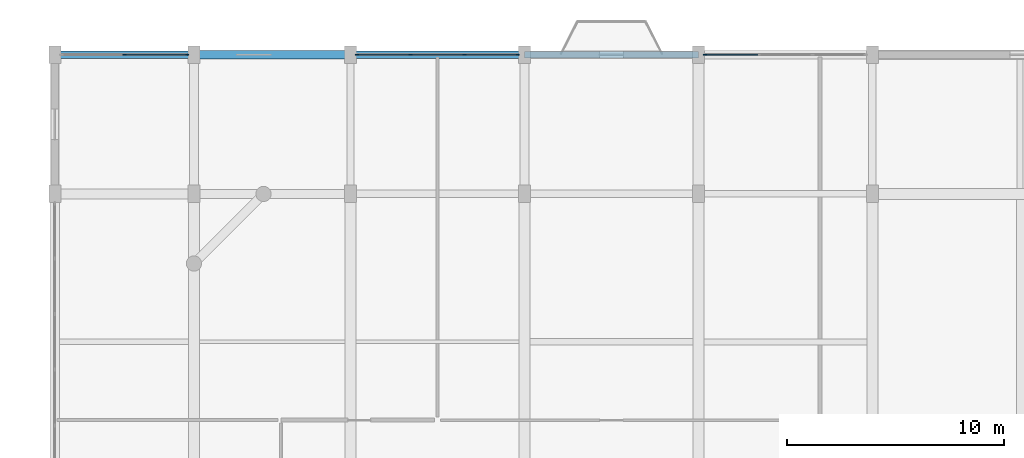
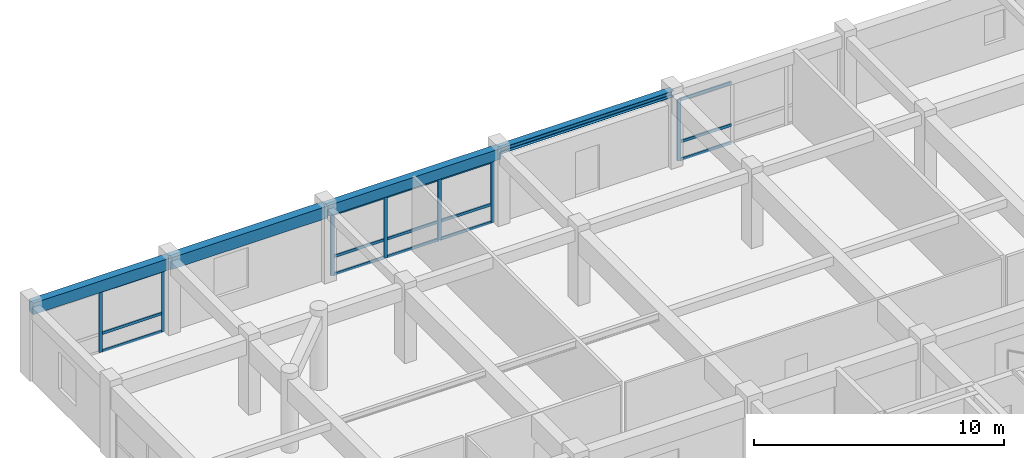
# One storey, part 8 of 15: 22 members, 4 beams, 3 elements without a shape of their own.
"""IFC4 building model written with IfcOpenShell, lengths in metres."""

from ifc_helpers import new_model, si_unit, direction, frame, origin, origin_2d, place, context, subcontext, project, spatial, rectangle, i_section, extrude, material, material_profile, profile_set, type_object, element, aggregate, save


model = new_model("IFC4")

# Units and contexts
model_context = context("Model", 3, precision=1e-05, world=origin(), true_north=direction((0.0, 1.0)))
body_context = subcontext(model_context, "Body", "Model", "MODEL_VIEW")
ifc_project = project(units=[si_unit("LENGTHUNIT", "METRE"), si_unit("AREAUNIT", "SQUARE_METRE"), si_unit("VOLUMEUNIT", "CUBIC_METRE"), si_unit("PLANEANGLEUNIT", "RADIAN"), si_unit("MASSUNIT", "GRAM", prefix="KILO")], contexts=[model_context])

# Site, building, storey
site_placement = place(None, origin())
site = spatial("IfcSite", under=ifc_project, at=site_placement, CompositionType="ELEMENT")
building_placement = place(site_placement, origin())
building = spatial("IfcBuilding", under=site, at=building_placement, Name="Vellmiral Cinema and Media Centre", CompositionType="ELEMENT")
storey_placement = place(building_placement, frame((0.0, 0.0, 35.60009765625)))
storey = spatial("IfcBuildingStorey", under=building, at=storey_placement, Name="L08", CompositionType="ELEMENT", Elevation=35.60009765625)

# Curtain wall, member
ifc_material_1 = material(Name="Thermally Broken Aluminium and Triple Glazing", Category="aluminium")
curtain_wall_type = type_object("IfcCurtainWallType", Name="CW-TOWER-LOW-S", PredefinedType="USERDEFINED", material=ifc_material_1)
curtain_wall_1_placement = place(storey_placement, origin())
curtain_wall_1 = element("IfcCurtainWall", 1, at=curtain_wall_1_placement, inside=storey, type_object=curtain_wall_type, Name="Curtain Wall L08-B019", ObjectType="UNITISED CURTAIN WALL", PredefinedType="USERDEFINED")
ifc_material_2 = material(Name="Thermally Broken Anodised Aluminium", Category="aluminium")
ifc_material_profile_1 = material_profile(ifc_material_2, rectangle(XDim=0.06494140625, YDim=0.159912109375, at=origin_2d()), Name="MULL 65x160")
ifc_profile_set_1 = profile_set([ifc_material_profile_1], Name="Thermally Broken Anodised Aluminium")
member_type_1 = type_object("IfcMemberType", Name="CWM-65x160", PredefinedType="MULLION", material=ifc_profile_set_1)
member_1_placement = place(storey_placement, frame((140.3076171875, 115.199951171875, 0.0), z_axis=(0.0, 0.0, 1.0), x_axis=(0.0, -1.0, 0.0)))
member_1 = element("IfcMember", 2, at=member_1_placement, type_object=member_type_1, Name="CW-06 mullion 4", PredefinedType="MULLION", context=body_context, shape_type="SweptSolid", body=[
    extrude(rectangle(XDim=0.06494140625, YDim=0.159912109375, at=origin_2d()), origin(), (0.0, 0.0, 1.0), 2.98486328125),
])

# Curtain wall, members
curtain_wall_2_placement = place(storey_placement, origin())
curtain_wall_2 = element("IfcCurtainWall", 3, at=curtain_wall_2_placement, inside=storey, type_object=curtain_wall_type, Name="Curtain Wall L08-B021", ObjectType="UNITISED CURTAIN WALL", PredefinedType="USERDEFINED")
member_2_placement = place(storey_placement, frame((131.6923828125, 115.199951171875, 0.0), z_axis=(0.0, 0.0, 1.0), x_axis=(0.0, -1.0, 0.0)))
member_2 = element("IfcMember", 4, at=member_2_placement, type_object=member_type_1, Name="CW-06 mullion 1", PredefinedType="MULLION", context=body_context, shape_type="SweptSolid", body=[
    extrude(rectangle(XDim=0.06494140625, YDim=0.159912109375, at=origin_2d()), origin(), (0.0, 0.0, 1.0), 3.0),
])
member_3_placement = place(storey_placement, frame((129.24169921875, 115.199951171875, 0.0), z_axis=(0.0, 0.0, 1.0), x_axis=(0.0, -1.0, 0.0)))
member_3 = element("IfcMember", 5, at=member_3_placement, type_object=member_type_1, Name="CW-06 mullion 2", PredefinedType="MULLION", context=body_context, shape_type="SweptSolid", body=[
    extrude(rectangle(XDim=0.06494140625, YDim=0.159912109375, at=origin_2d()), origin(), (0.0, 0.0, 1.0), 3.0),
])
member_4_placement = place(storey_placement, frame((126.75830078125, 115.199951171875, 0.0), z_axis=(0.0, 0.0, 1.0), x_axis=(0.0, -1.0, 0.0)))
member_4 = element("IfcMember", 6, at=member_4_placement, type_object=member_type_1, Name="CW-06 mullion 3", PredefinedType="MULLION", context=body_context, shape_type="SweptSolid", body=[
    extrude(rectangle(XDim=0.06494140625, YDim=0.159912109375, at=origin_2d()), origin(), (0.0, 0.0, 1.0), 3.0),
])
member_5_placement = place(storey_placement, frame((124.3076171875, 115.199951171875, 0.0), z_axis=(0.0, 0.0, 1.0), x_axis=(0.0, -1.0, 0.0)))
member_5 = element("IfcMember", 7, at=member_5_placement, type_object=member_type_1, Name="CW-06 mullion 4", PredefinedType="MULLION", context=body_context, shape_type="SweptSolid", body=[
    extrude(rectangle(XDim=0.06494140625, YDim=0.159912109375, at=origin_2d()), origin(), (0.0, 0.0, 1.0), 3.0),
])

curtain_wall_3_placement = place(storey_placement, origin())
curtain_wall_3 = element("IfcCurtainWall", 8, at=curtain_wall_3_placement, inside=storey, type_object=curtain_wall_type, Name="Curtain Wall L08-B023", ObjectType="UNITISED CURTAIN WALL", PredefinedType="USERDEFINED")
member_6_placement = place(storey_placement, frame((116.492431640625, 115.199951171875, 0.0), z_axis=(0.0, 0.0, 1.0), x_axis=(0.0, -1.0, 0.0)))
member_6 = element("IfcMember", 9, at=member_6_placement, type_object=member_type_1, Name="CW-06 mullion 1", PredefinedType="MULLION", context=body_context, shape_type="SweptSolid", body=[
    extrude(rectangle(XDim=0.06494140625, YDim=0.159912109375, at=origin_2d()), origin(), (0.0, 0.0, 1.0), 3.0),
])
member_7_placement = place(storey_placement, frame((113.60009765625, 115.199951171875, 0.0), z_axis=(0.0, 0.0, 1.0), x_axis=(0.0, -1.0, 0.0)))
member_7 = element("IfcMember", 10, at=member_7_placement, type_object=member_type_1, Name="CW-06 mullion 2", PredefinedType="MULLION", context=body_context, shape_type="SweptSolid", body=[
    extrude(rectangle(XDim=0.06494140625, YDim=0.159912109375, at=origin_2d()), origin(), (0.0, 0.0, 1.0), 3.0),
])

# Member
ifc_material_3 = material(Name="Thermally Broken Anodised Aluminium", Category="aluminium")
ifc_material_profile_2 = material_profile(ifc_material_3, rectangle(XDim=0.06494140625, YDim=0.135009765625, at=origin_2d()), Name="MULL 65x135")
ifc_profile_set_2 = profile_set([ifc_material_profile_2], Name="Thermally Broken Anodised Aluminium")
member_type_2 = type_object("IfcMemberType", Name="CWT-65x135", PredefinedType="USERDEFINED", material=ifc_profile_set_2)
member_8_placement = place(storey_placement, frame((142.725830078125, 115.199951171875, 0.032470703125), z_axis=(-1.0, 0.0, 0.0), x_axis=(0.0, -1.0, 0.0)))
member_8 = element("IfcMember", 11, at=member_8_placement, type_object=member_type_2, Name="CW-06 transom 3.1", ObjectType="TRANSOM", PredefinedType="USERDEFINED", context=body_context, shape_type="SweptSolid", body=[
    extrude(rectangle(XDim=0.06494140625, YDim=0.135009765625, at=origin_2d()), origin(), (0.0, 0.0, 1.0), 2.3857421875),
])

member_9_placement = place(storey_placement, frame((142.725830078125, 115.199951171875, 0.89990234375), z_axis=(-1.0, 0.0, 0.0), x_axis=(0.0, -1.0, 0.0)))
member_9 = element("IfcMember", 12, at=member_9_placement, type_object=member_type_2, Name="CW-06 transom 3.2", ObjectType="TRANSOM", PredefinedType="USERDEFINED", context=body_context, shape_type="SweptSolid", body=[
    extrude(rectangle(XDim=0.06494140625, YDim=0.135009765625, at=origin_2d()), origin(), (0.0, 0.0, 1.0), 2.3857421875),
])

member_10_placement = place(storey_placement, frame((142.725830078125, 115.199951171875, 2.952392578125), z_axis=(-1.0, 0.0, 0.0), x_axis=(0.0, -1.0, 0.0)))
member_10 = element("IfcMember", 13, at=member_10_placement, type_object=member_type_2, Name="CW-06 transom 3.3", ObjectType="TRANSOM", PredefinedType="USERDEFINED", context=body_context, shape_type="SweptSolid", body=[
    extrude(rectangle(XDim=0.06494140625, YDim=0.135009765625, at=origin_2d()), origin(), (0.0, 0.0, 1.0), 2.3857421875),
])

aggregate(curtain_wall_1, [member_1, member_8, member_9, member_10])

member_11_placement = place(storey_placement, frame((131.659912109375, 115.199951171875, 0.032470703125), z_axis=(-1.0, 0.0, 0.0), x_axis=(0.0, -1.0, 0.0)))
member_11 = element("IfcMember", 14, at=member_11_placement, type_object=member_type_2, Name="CW-06 transom 1.1", ObjectType="TRANSOM", PredefinedType="USERDEFINED", context=body_context, shape_type="SweptSolid", body=[
    extrude(rectangle(XDim=0.06494140625, YDim=0.135009765625, at=origin_2d()), origin(), (0.0, 0.0, 1.0), 2.3857421875),
])

member_12_placement = place(storey_placement, frame((131.659912109375, 115.199951171875, 0.89990234375), z_axis=(-1.0, 0.0, 0.0), x_axis=(0.0, -1.0, 0.0)))
member_12 = element("IfcMember", 15, at=member_12_placement, type_object=member_type_2, Name="CW-06 transom 1.2", ObjectType="TRANSOM", PredefinedType="USERDEFINED", context=body_context, shape_type="SweptSolid", body=[
    extrude(rectangle(XDim=0.06494140625, YDim=0.135009765625, at=origin_2d()), origin(), (0.0, 0.0, 1.0), 2.3857421875),
])

member_13_placement = place(storey_placement, frame((131.659912109375, 115.199951171875, 2.96728515625), z_axis=(-1.0, 0.0, 0.0), x_axis=(0.0, -1.0, 0.0)))
member_13 = element("IfcMember", 16, at=member_13_placement, type_object=member_type_2, Name="CW-06 transom 1.3", ObjectType="TRANSOM", PredefinedType="USERDEFINED", context=body_context, shape_type="SweptSolid", body=[
    extrude(rectangle(XDim=0.06494140625, YDim=0.135009765625, at=origin_2d()), origin(), (0.0, 0.0, 1.0), 2.3857421875),
])

member_14_placement = place(storey_placement, frame((129.209228515625, 115.199951171875, 0.032470703125), z_axis=(-1.0, 0.0, 0.0), x_axis=(0.0, -1.0, 0.0)))
member_14 = element("IfcMember", 17, at=member_14_placement, type_object=member_type_2, Name="CW-06 transom 2.1", ObjectType="TRANSOM", PredefinedType="USERDEFINED", context=body_context, shape_type="SweptSolid", body=[
    extrude(rectangle(XDim=0.06494140625, YDim=0.135009765625, at=origin_2d()), origin(), (0.0, 0.0, 1.0), 2.41845703125),
])

member_15_placement = place(storey_placement, frame((129.209228515625, 115.199951171875, 0.89990234375), z_axis=(-1.0, 0.0, 0.0), x_axis=(0.0, -1.0, 0.0)))
member_15 = element("IfcMember", 18, at=member_15_placement, type_object=member_type_2, Name="CW-06 transom 2.2", ObjectType="TRANSOM", PredefinedType="USERDEFINED", context=body_context, shape_type="SweptSolid", body=[
    extrude(rectangle(XDim=0.06494140625, YDim=0.135009765625, at=origin_2d()), origin(), (0.0, 0.0, 1.0), 2.41845703125),
])

member_16_placement = place(storey_placement, frame((129.209228515625, 115.199951171875, 2.96728515625), z_axis=(-1.0, 0.0, 0.0), x_axis=(0.0, -1.0, 0.0)))
member_16 = element("IfcMember", 19, at=member_16_placement, type_object=member_type_2, Name="CW-06 transom 2.3", ObjectType="TRANSOM", PredefinedType="USERDEFINED", context=body_context, shape_type="SweptSolid", body=[
    extrude(rectangle(XDim=0.06494140625, YDim=0.135009765625, at=origin_2d()), origin(), (0.0, 0.0, 1.0), 2.41845703125),
])

member_17_placement = place(storey_placement, frame((126.725830078125, 115.199951171875, 0.032470703125), z_axis=(-1.0, 0.0, 0.0), x_axis=(0.0, -1.0, 0.0)))
member_17 = element("IfcMember", 20, at=member_17_placement, type_object=member_type_2, Name="CW-06 transom 3.1", ObjectType="TRANSOM", PredefinedType="USERDEFINED", context=body_context, shape_type="SweptSolid", body=[
    extrude(rectangle(XDim=0.06494140625, YDim=0.135009765625, at=origin_2d()), origin(), (0.0, 0.0, 1.0), 2.3857421875),
])

member_18_placement = place(storey_placement, frame((126.725830078125, 115.199951171875, 0.89990234375), z_axis=(-1.0, 0.0, 0.0), x_axis=(0.0, -1.0, 0.0)))
member_18 = element("IfcMember", 21, at=member_18_placement, type_object=member_type_2, Name="CW-06 transom 3.2", ObjectType="TRANSOM", PredefinedType="USERDEFINED", context=body_context, shape_type="SweptSolid", body=[
    extrude(rectangle(XDim=0.06494140625, YDim=0.135009765625, at=origin_2d()), origin(), (0.0, 0.0, 1.0), 2.3857421875),
])

member_19_placement = place(storey_placement, frame((126.725830078125, 115.199951171875, 2.96728515625), z_axis=(-1.0, 0.0, 0.0), x_axis=(0.0, -1.0, 0.0)))
member_19 = element("IfcMember", 22, at=member_19_placement, type_object=member_type_2, Name="CW-06 transom 3.3", ObjectType="TRANSOM", PredefinedType="USERDEFINED", context=body_context, shape_type="SweptSolid", body=[
    extrude(rectangle(XDim=0.06494140625, YDim=0.135009765625, at=origin_2d()), origin(), (0.0, 0.0, 1.0), 2.3857421875),
])

aggregate(curtain_wall_2, [member_2, member_3, member_4, member_5, member_11, member_12, member_13, member_14, member_15, member_16, member_17, member_18, member_19])

member_20_placement = place(storey_placement, frame((116.4599609375, 115.199951171875, 0.032470703125), z_axis=(-1.0, 0.0, 0.0), x_axis=(0.0, -1.0, 0.0)))
member_20 = element("IfcMember", 23, at=member_20_placement, type_object=member_type_2, Name="CW-06 transom 1.1", ObjectType="TRANSOM", PredefinedType="USERDEFINED", context=body_context, shape_type="SweptSolid", body=[
    extrude(rectangle(XDim=0.06494140625, YDim=0.135009765625, at=origin_2d()), origin(), (0.0, 0.0, 1.0), 2.827392578125),
])

member_21_placement = place(storey_placement, frame((116.4599609375, 115.199951171875, 0.89990234375), z_axis=(-1.0, 0.0, 0.0), x_axis=(0.0, -1.0, 0.0)))
member_21 = element("IfcMember", 24, at=member_21_placement, type_object=member_type_2, Name="CW-06 transom 1.2", ObjectType="TRANSOM", PredefinedType="USERDEFINED", context=body_context, shape_type="SweptSolid", body=[
    extrude(rectangle(XDim=0.06494140625, YDim=0.135009765625, at=origin_2d()), origin(), (0.0, 0.0, 1.0), 2.827392578125),
])

member_22_placement = place(storey_placement, frame((116.4599609375, 115.199951171875, 2.96728515625), z_axis=(-1.0, 0.0, 0.0), x_axis=(0.0, -1.0, 0.0)))
member_22 = element("IfcMember", 25, at=member_22_placement, type_object=member_type_2, Name="CW-06 transom 1.3", ObjectType="TRANSOM", PredefinedType="USERDEFINED", context=body_context, shape_type="SweptSolid", body=[
    extrude(rectangle(XDim=0.06494140625, YDim=0.135009765625, at=origin_2d()), origin(), (0.0, 0.0, 1.0), 2.827392578125),
])

aggregate(curtain_wall_3, [member_6, member_7, member_20, member_21, member_22])

# Beams
ifc_material_4 = material(Name="Steel S355", Category="steel")
ifc_material_profile_3 = material_profile(ifc_material_4, i_section(OverallWidth=0.300048828125, OverallDepth=0.300048828125, WebThickness=0.010986328125, FlangeThickness=0.01904296875, FilletRadius=0.027099609375, at=origin_2d()), Name="HEB 300")
ifc_profile_set_3 = profile_set([ifc_material_profile_3], Name="Steel S355")
beam_type_1 = type_object("IfcBeamType", Name="SBM-HEB300", PredefinedType="SPANDREL", material=ifc_profile_set_3)
beam_1_placement = place(storey_placement, frame((132.0, 115.199951171875, 3.44482421875), z_axis=(1.0, 0.0, 0.0), x_axis=(0.0, 1.0, 0.0)))
element("IfcBeam", 26, at=beam_1_placement, inside=storey, type_object=beam_type_1, Name="Grid Beam L08-X046", PredefinedType="SPANDREL", context=body_context, shape_type="SweptSolid", body=[
    extrude(i_section(OverallWidth=0.300048828125, OverallDepth=0.300048828125, WebThickness=0.010986328125, FlangeThickness=0.01904296875, FilletRadius=0.027099609375, at=origin_2d()), origin(), (0.0, 0.0, 1.0), 8.0),
])
ifc_material_5 = material(Name="Concrete C40/50", Category="concrete")
ifc_material_profile_4 = material_profile(ifc_material_5, rectangle(XDim=0.35009765625, YDim=0.56005859375, at=origin_2d()), Name="RC 350x560")
ifc_profile_set_4 = profile_set([ifc_material_profile_4], Name="Concrete C40/50")
beam_type_2 = type_object("IfcBeamType", Name="SPD-RC-350x560", PredefinedType="SPANDREL", material=ifc_profile_set_4)
beam_2_placement = place(storey_placement, frame((110.39990234375, 115.199951171875, 3.31494140625), z_axis=(1.0, 0.0, 0.0), x_axis=(0.0, 1.0, 0.0)))
element("IfcBeam", 27, at=beam_2_placement, inside=storey, type_object=beam_type_2, Name="Grid Beam L08-X043", PredefinedType="SPANDREL", context=body_context, shape_type="SweptSolid", body=[
    extrude(rectangle(XDim=0.35009765625, YDim=0.56005859375, at=origin_2d()), origin(), (0.0, 0.0, 1.0), 6.400146484375),
])
ifc_material_6 = material(Name="Vosges Red Sandstone Masonry", Category="masonry")
ifc_material_profile_5 = material_profile(ifc_material_6, rectangle(XDim=0.340087890625, YDim=0.52001953125, at=origin_2d()), Name="SAND 340x520")
ifc_profile_set_5 = profile_set([ifc_material_profile_5], Name="Vosges Red Sandstone Masonry")
beam_type_3 = type_object("IfcBeamType", Name="SPD-SAND-340x520", PredefinedType="SPANDREL", material=ifc_profile_set_5)
beam_3_placement = place(storey_placement, frame((124.0, 115.199951171875, 3.3349609375), z_axis=(1.0, 0.0, 0.0), x_axis=(0.0, 1.0, 0.0)))
element("IfcBeam", 28, at=beam_3_placement, inside=storey, type_object=beam_type_3, Name="Grid Beam L08-X045", PredefinedType="SPANDREL", context=body_context, shape_type="SweptSolid", body=[
    extrude(rectangle(XDim=0.340087890625, YDim=0.52001953125, at=origin_2d()), origin(), (0.0, 0.0, 1.0), 8.0),
])
ifc_material_7 = material(Name="Vosges Red Sandstone Masonry", Category="masonry")
ifc_material_profile_6 = material_profile(ifc_material_7, rectangle(XDim=0.3798828125, YDim=0.580078125, at=origin_2d()), Name="SAND 380x580")
ifc_profile_set_6 = profile_set([ifc_material_profile_6], Name="Vosges Red Sandstone Masonry")
beam_type_4 = type_object("IfcBeamType", Name="SPD-SAND-380x580", PredefinedType="SPANDREL", material=ifc_profile_set_6)
beam_4_placement = place(storey_placement, frame((116.800048828125, 115.199951171875, 3.304931640625), z_axis=(1.0, 0.0, 0.0), x_axis=(0.0, 1.0, 0.0)))
element("IfcBeam", 29, at=beam_4_placement, inside=storey, type_object=beam_type_4, Name="Grid Beam L08-X044", PredefinedType="SPANDREL", context=body_context, shape_type="SweptSolid", body=[
    extrude(rectangle(XDim=0.3798828125, YDim=0.580078125, at=origin_2d()), origin(), (0.0, 0.0, 1.0), 7.199951171875),
])

save(model, "model.ifc")
